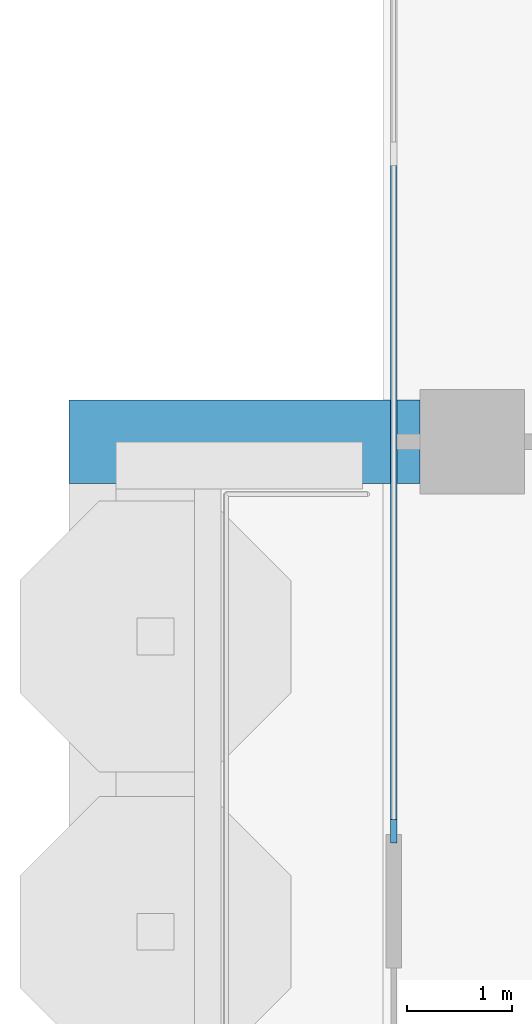
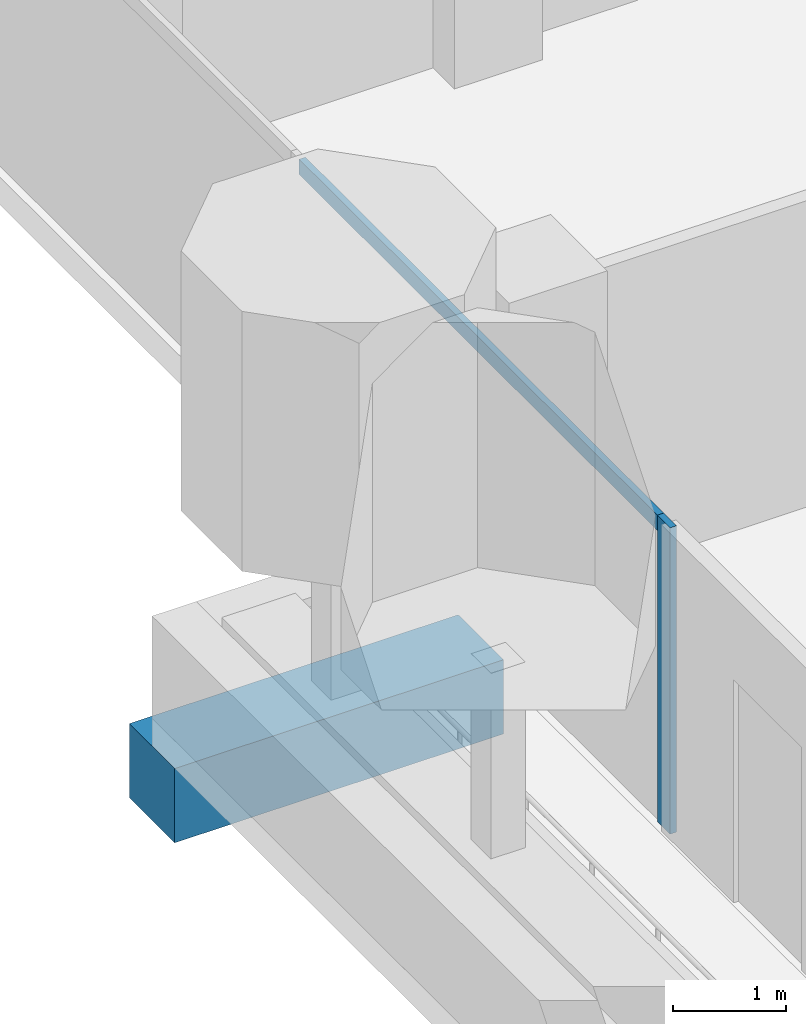
# One storey, part 3 of 18: 2 members, 1 beam, 1 element without a shape of its own.
"""IFC4 building model written with IfcOpenShell, lengths in metres."""

from ifc_helpers import new_model, si_unit, direction, frame, origin, origin_2d, place, context, subcontext, project, spatial, rectangle, extrude, material, material_profile, profile_set, type_object, element, aggregate, save


model = new_model("IFC4")

# Units and contexts
model_context = context("Model", 3, precision=1e-05, world=origin(), true_north=direction((0.0, 1.0)))
body_context = subcontext(model_context, "Body", "Model", "MODEL_VIEW")
ifc_project = project(units=[si_unit("LENGTHUNIT", "METRE"), si_unit("AREAUNIT", "SQUARE_METRE"), si_unit("VOLUMEUNIT", "CUBIC_METRE"), si_unit("PLANEANGLEUNIT", "RADIAN"), si_unit("MASSUNIT", "GRAM", prefix="KILO")], contexts=[model_context])

# Site, building, storey
site_placement = place(None, origin())
site = spatial("IfcSite", under=ifc_project, at=site_placement, CompositionType="ELEMENT")
building_placement = place(site_placement, origin())
building = spatial("IfcBuilding", under=site, at=building_placement, Name="Pilkhan Gate Tower", CompositionType="ELEMENT")
storey_placement = place(building_placement, frame((0.0, 0.0, 195.89990234375)))
storey = spatial("IfcBuildingStorey", under=building, at=storey_placement, Name="L50", CompositionType="ELEMENT", Elevation=195.89990234375)

# Beam
ifc_material_1 = material(Name="Concrete C50/60", Category="concrete")
ifc_material_profile_1 = material_profile(ifc_material_1, rectangle(XDim=0.800048828125, YDim=0.800048828125, at=origin_2d()), Name="RC 800x800")
ifc_profile_set_1 = profile_set([ifc_material_profile_1], Name="Concrete C50/60")
beam_type = type_object("IfcBeamType", Name="Cantilever beam CB2 RC 800x800 C50/60", PredefinedType="BEAM", material=ifc_profile_set_1)
beam_placement = place(storey_placement, frame((48.25, 67.5, -0.699951171875), z_axis=(-1.0, 0.0, 0.0), x_axis=(0.0, -1.0, 0.0)))
element("IfcBeam", 1, at=beam_placement, inside=storey, type_object=beam_type, Name="Balcony beam W.3 L50", PredefinedType="BEAM", context=body_context, shape_type="SweptSolid", body=[
    extrude(rectangle(XDim=0.800048828125, YDim=0.800048828125, at=origin_2d()), origin(), (0.0, 0.0, 1.0), 3.35009765625),
])

# Curtain wall, members
ifc_material_2 = material(Name="Pale anodised aluminium, clear low-iron double glazing", Category="aluminium")
curtain_wall_type = type_object("IfcCurtainWallType", Name="Office unitised curtain wall CW-O2", PredefinedType="USERDEFINED", material=ifc_material_2)
curtain_wall_placement = place(storey_placement, origin())
curtain_wall = element("IfcCurtainWall", 2, at=curtain_wall_placement, inside=storey, type_object=curtain_wall_type, Name="Office unitised curtain wall CW-O2 L50 W", ObjectType="UNITISED CURTAIN WALL", PredefinedType="USERDEFINED")
ifc_material_3 = material(Name="Pale anodised aluminium", Category="aluminium")
ifc_material_profile_2 = material_profile(ifc_material_3, rectangle(XDim=0.06494140625, YDim=0.22509765625, at=origin_2d()), Name="Mullion 225x65")
ifc_profile_set_2 = profile_set([ifc_material_profile_2], Name="Pale anodised aluminium")
member_type_1 = type_object("IfcMemberType", Name="Mullion CW-O2 225x65", PredefinedType="MULLION", material=ifc_profile_set_2)
member_1_placement = place(storey_placement, frame((48.0, 63.782470703125, 0.0), z_axis=(0.0, 0.0, 1.0), x_axis=(-1.0, 0.0, 0.0)))
member_1 = element("IfcMember", 3, at=member_1_placement, type_object=member_type_1, Name="CW-O2 mullion 1", PredefinedType="MULLION", context=body_context, shape_type="SweptSolid", body=[
    extrude(rectangle(XDim=0.06494140625, YDim=0.22509765625, at=origin_2d()), origin(), (0.0, 0.0, 1.0), 3.300048828125),
])
ifc_material_profile_3 = material_profile(ifc_material_3, rectangle(XDim=0.06494140625, YDim=0.1650390625, at=origin_2d()), Name="Transom 165x65")
ifc_profile_set_3 = profile_set([ifc_material_profile_3], Name="Pale anodised aluminium")
member_type_2 = type_object("IfcMemberType", Name="Transom CW-O2 165x65", PredefinedType="USERDEFINED", material=ifc_profile_set_3)
member_2_placement = place(storey_placement, frame((48.0, 63.81494140625, 3.217529296875), z_axis=(0.0, 1.0, 0.0), x_axis=(-1.0, 0.0, 0.0)))
member_2 = element("IfcMember", 4, at=member_2_placement, type_object=member_type_2, Name="CW-O2 transom 1", ObjectType="TRANSOM", PredefinedType="USERDEFINED", context=body_context, shape_type="SweptSolid", body=[
    extrude(rectangle(XDim=0.06494140625, YDim=0.1650390625, at=origin_2d()), origin(), (0.0, 0.0, 1.0), 6.402587890625),
])
aggregate(curtain_wall, [member_1, member_2])

save(model, "model.ifc")
